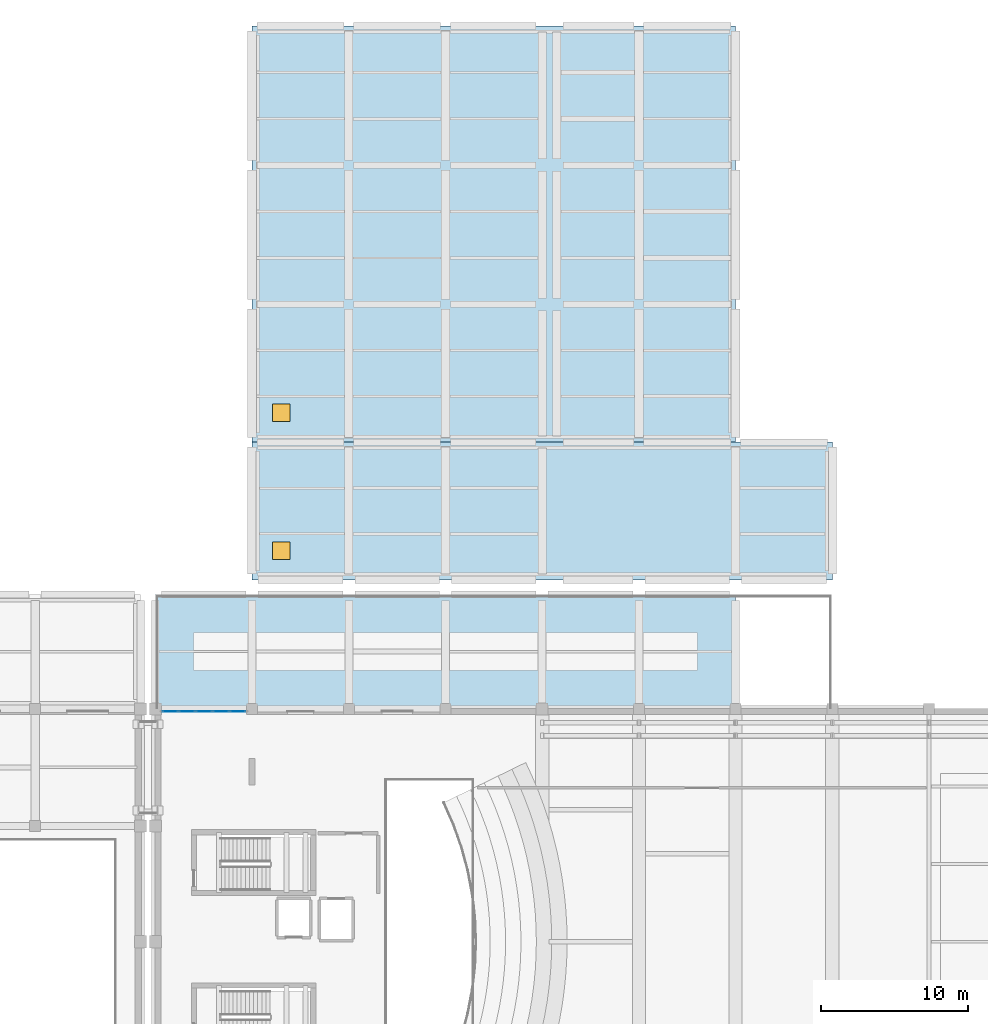
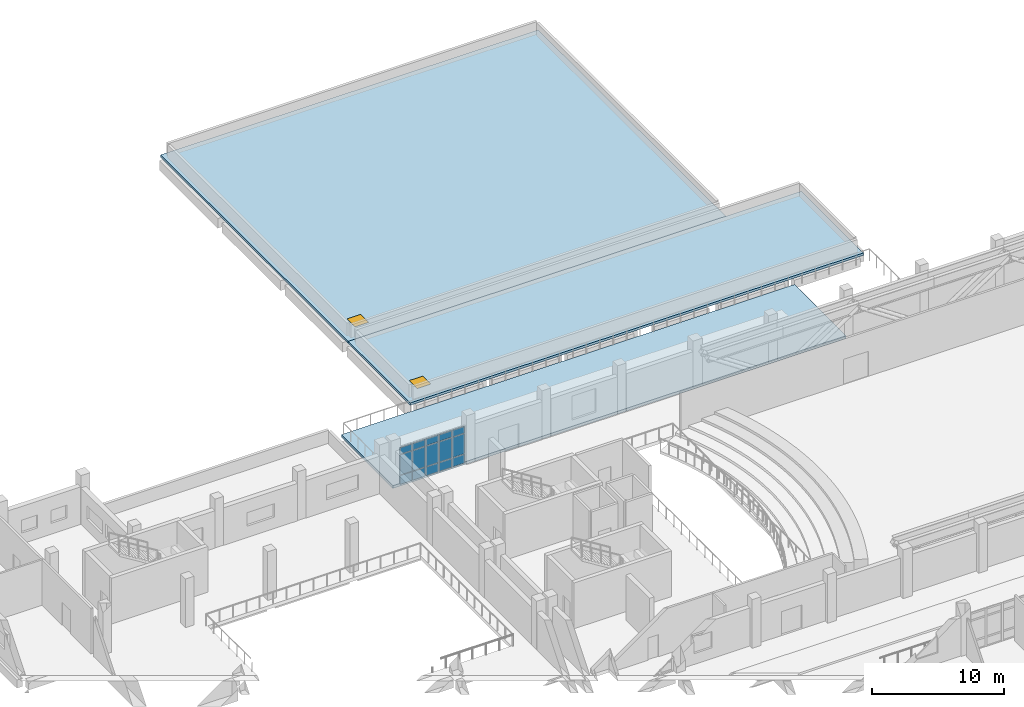
# One storey, part 33 of 54: 15 plates, 3 slabs, 2 windows, 2 openings, 1 element without a shape of its own.
"""IFC4 building model written with IfcOpenShell, lengths in metres."""

from ifc_helpers import new_model, si_unit, direction, frame, origin, origin_2d, place, context, subcontext, project, spatial, polyline, rectangle, outline, extrude, material, layer, layer_set, type_object, element, fill, aggregate, save


model = new_model("IFC4")

# Units and contexts
model_context = context("Model", 3, precision=1e-05, world=origin(), true_north=direction((0.0, 1.0)))
body_context = subcontext(model_context, "Body", "Model", "MODEL_VIEW")
ifc_project = project(units=[si_unit("LENGTHUNIT", "METRE"), si_unit("AREAUNIT", "SQUARE_METRE"), si_unit("VOLUMEUNIT", "CUBIC_METRE"), si_unit("PLANEANGLEUNIT", "RADIAN"), si_unit("MASSUNIT", "GRAM", prefix="KILO")], contexts=[model_context])

# Site, building, storey
site_placement = place(None, origin())
site = spatial("IfcSite", under=ifc_project, at=site_placement, CompositionType="ELEMENT")
building_placement = place(site_placement, origin())
building = spatial("IfcBuilding", under=site, at=building_placement, Name="Kelarvand Opera House", CompositionType="ELEMENT")
storey_placement = place(building_placement, frame((0.0, 0.0, 15.0)))
storey = spatial("IfcBuildingStorey", under=building, at=storey_placement, Name="L03", CompositionType="ELEMENT", Elevation=15.0)

# Curtain wall, plates
ifc_material_1 = material(Name="Thermally broken aluminium and low-E glazing", Category="aluminium")
ifc_layer_1 = layer(ifc_material_1, 0.219970703125, Name="Thermally broken aluminium and low-E glazing", Category="aluminium")
ifc_layer_set_1 = layer_set([ifc_layer_1], Name="Thermally broken aluminium and low-E glazing")
curtain_wall_type = type_object("IfcCurtainWallType", Name="Unitised Low-E Curtain Wall 5795x3520 Mod 1150 CWF-08", PredefinedType="USERDEFINED", material=ifc_layer_set_1)
curtain_wall_placement = place(storey_placement, origin())
curtain_wall = element("IfcCurtainWall", 1, at=curtain_wall_placement, inside=storey, type_object=curtain_wall_type, Name="V1 L03 Curtain Wall CWF-08 (23)", ObjectType="UNITISED CURTAIN WALL", PredefinedType="USERDEFINED")
ifc_material_2 = material(Name="Acoustic triple-laminated low-E glazing", Category="glass")
ifc_layer_2 = layer(ifc_material_2, 0.0400390625, Name="Acoustic triple-laminated low-E glazing", Category="glass")
ifc_layer_set_2 = layer_set([ifc_layer_2], Name="Acoustic triple-laminated low-E glazing")
plate_type = type_object("IfcPlateType", Name="Acoustic Laminated Plaza Curtain Panel 40mm", PredefinedType="CURTAIN_PANEL", material=ifc_layer_set_2)
plate_1_placement = place(storey_placement, frame((90.018310546875, 78.219970703125, 0.074951171875), z_axis=(0.0, 0.0, 1.0), x_axis=(1.0, 0.0, 0.0)))
plate_1 = element("IfcPlate", 2, at=plate_1_placement, type_object=plate_type, Name="CWF-08 panel 1.1", PredefinedType="CURTAIN_PANEL", context=body_context, shape_type="SweptSolid", body=[
    extrude(rectangle(XDim=1.04638671875, YDim=0.0400390625, at=origin_2d()), origin(), (0.0, 0.0, 1.0), 0.78759765625),
])
plate_2_placement = place(storey_placement, frame((90.018310546875, 78.219970703125, 0.9375), z_axis=(0.0, 0.0, 1.0), x_axis=(1.0, 0.0, 0.0)))
plate_2 = element("IfcPlate", 3, at=plate_2_placement, type_object=plate_type, Name="CWF-08 panel 1.2", PredefinedType="CURTAIN_PANEL", context=body_context, shape_type="SweptSolid", body=[
    extrude(rectangle(XDim=1.04638671875, YDim=0.0400390625, at=origin_2d()), origin(), (0.0, 0.0, 1.0), 1.844970703125),
])
plate_3_placement = place(storey_placement, frame((90.018310546875, 78.219970703125, 2.857666015625), z_axis=(0.0, 0.0, 1.0), x_axis=(1.0, 0.0, 0.0)))
plate_3 = element("IfcPlate", 4, at=plate_3_placement, type_object=plate_type, Name="CWF-08 panel 1.3", PredefinedType="CURTAIN_PANEL", context=body_context, shape_type="SweptSolid", body=[
    extrude(rectangle(XDim=1.04638671875, YDim=0.0400390625, at=origin_2d()), origin(), (0.0, 0.0, 1.0), 0.58740234375),
])
plate_4_placement = place(storey_placement, frame((91.158447265625, 78.219970703125, 0.074951171875), z_axis=(0.0, 0.0, 1.0), x_axis=(1.0, 0.0, 0.0)))
plate_4 = element("IfcPlate", 5, at=plate_4_placement, type_object=plate_type, Name="CWF-08 panel 2.1", PredefinedType="CURTAIN_PANEL", context=body_context, shape_type="SweptSolid", body=[
    extrude(rectangle(XDim=1.083984375, YDim=0.0400390625, at=origin_2d()), origin(), (0.0, 0.0, 1.0), 0.78759765625),
])
plate_5_placement = place(storey_placement, frame((91.158447265625, 78.219970703125, 0.9375), z_axis=(0.0, 0.0, 1.0), x_axis=(1.0, 0.0, 0.0)))
plate_5 = element("IfcPlate", 6, at=plate_5_placement, type_object=plate_type, Name="CWF-08 panel 2.2", PredefinedType="CURTAIN_PANEL", context=body_context, shape_type="SweptSolid", body=[
    extrude(rectangle(XDim=1.083984375, YDim=0.0400390625, at=origin_2d()), origin(), (0.0, 0.0, 1.0), 1.844970703125),
])
plate_6_placement = place(storey_placement, frame((91.158447265625, 78.219970703125, 2.857666015625), z_axis=(0.0, 0.0, 1.0), x_axis=(1.0, 0.0, 0.0)))
plate_6 = element("IfcPlate", 7, at=plate_6_placement, type_object=plate_type, Name="CWF-08 panel 2.3", PredefinedType="CURTAIN_PANEL", context=body_context, shape_type="SweptSolid", body=[
    extrude(rectangle(XDim=1.083984375, YDim=0.0400390625, at=origin_2d()), origin(), (0.0, 0.0, 1.0), 0.58740234375),
])
plate_7_placement = place(storey_placement, frame((92.3173828125, 78.219970703125, 0.074951171875), z_axis=(0.0, 0.0, 1.0), x_axis=(1.0, 0.0, 0.0)))
plate_7 = element("IfcPlate", 8, at=plate_7_placement, type_object=plate_type, Name="CWF-08 panel 3.1", PredefinedType="CURTAIN_PANEL", context=body_context, shape_type="SweptSolid", body=[
    extrude(rectangle(XDim=1.083984375, YDim=0.0400390625, at=origin_2d()), origin(), (0.0, 0.0, 1.0), 0.78759765625),
])
plate_8_placement = place(storey_placement, frame((92.3173828125, 78.219970703125, 0.9375), z_axis=(0.0, 0.0, 1.0), x_axis=(1.0, 0.0, 0.0)))
plate_8 = element("IfcPlate", 9, at=plate_8_placement, type_object=plate_type, Name="CWF-08 panel 3.2", PredefinedType="CURTAIN_PANEL", context=body_context, shape_type="SweptSolid", body=[
    extrude(rectangle(XDim=1.083984375, YDim=0.0400390625, at=origin_2d()), origin(), (0.0, 0.0, 1.0), 1.844970703125),
])
plate_9_placement = place(storey_placement, frame((92.3173828125, 78.219970703125, 2.857666015625), z_axis=(0.0, 0.0, 1.0), x_axis=(1.0, 0.0, 0.0)))
plate_9 = element("IfcPlate", 10, at=plate_9_placement, type_object=plate_type, Name="CWF-08 panel 3.3", PredefinedType="CURTAIN_PANEL", context=body_context, shape_type="SweptSolid", body=[
    extrude(rectangle(XDim=1.083984375, YDim=0.0400390625, at=origin_2d()), origin(), (0.0, 0.0, 1.0), 0.58740234375),
])
plate_10_placement = place(storey_placement, frame((93.4765625, 78.219970703125, 0.074951171875), z_axis=(0.0, 0.0, 1.0), x_axis=(1.0, 0.0, 0.0)))
plate_10 = element("IfcPlate", 11, at=plate_10_placement, type_object=plate_type, Name="CWF-08 panel 4.1", PredefinedType="CURTAIN_PANEL", context=body_context, shape_type="SweptSolid", body=[
    extrude(rectangle(XDim=1.083984375, YDim=0.0400390625, at=origin_2d()), origin(), (0.0, 0.0, 1.0), 0.78759765625),
])
plate_11_placement = place(storey_placement, frame((93.4765625, 78.219970703125, 0.9375), z_axis=(0.0, 0.0, 1.0), x_axis=(1.0, 0.0, 0.0)))
plate_11 = element("IfcPlate", 12, at=plate_11_placement, type_object=plate_type, Name="CWF-08 panel 4.2", PredefinedType="CURTAIN_PANEL", context=body_context, shape_type="SweptSolid", body=[
    extrude(rectangle(XDim=1.083984375, YDim=0.0400390625, at=origin_2d()), origin(), (0.0, 0.0, 1.0), 1.844970703125),
])
plate_12_placement = place(storey_placement, frame((93.4765625, 78.219970703125, 2.857666015625), z_axis=(0.0, 0.0, 1.0), x_axis=(1.0, 0.0, 0.0)))
plate_12 = element("IfcPlate", 13, at=plate_12_placement, type_object=plate_type, Name="CWF-08 panel 4.3", PredefinedType="CURTAIN_PANEL", context=body_context, shape_type="SweptSolid", body=[
    extrude(rectangle(XDim=1.083984375, YDim=0.0400390625, at=origin_2d()), origin(), (0.0, 0.0, 1.0), 0.58740234375),
])
plate_13_placement = place(storey_placement, frame((94.61669921875, 78.219970703125, 0.074951171875), z_axis=(0.0, 0.0, 1.0), x_axis=(1.0, 0.0, 0.0)))
plate_13 = element("IfcPlate", 14, at=plate_13_placement, type_object=plate_type, Name="CWF-08 panel 5.1", PredefinedType="CURTAIN_PANEL", context=body_context, shape_type="SweptSolid", body=[
    extrude(rectangle(XDim=1.04638671875, YDim=0.0400390625, at=origin_2d()), origin(), (0.0, 0.0, 1.0), 0.78759765625),
])
plate_14_placement = place(storey_placement, frame((94.61669921875, 78.219970703125, 0.9375), z_axis=(0.0, 0.0, 1.0), x_axis=(1.0, 0.0, 0.0)))
plate_14 = element("IfcPlate", 15, at=plate_14_placement, type_object=plate_type, Name="CWF-08 panel 5.2", PredefinedType="CURTAIN_PANEL", context=body_context, shape_type="SweptSolid", body=[
    extrude(rectangle(XDim=1.04638671875, YDim=0.0400390625, at=origin_2d()), origin(), (0.0, 0.0, 1.0), 1.844970703125),
])
plate_15_placement = place(storey_placement, frame((94.61669921875, 78.219970703125, 2.857666015625), z_axis=(0.0, 0.0, 1.0), x_axis=(1.0, 0.0, 0.0)))
plate_15 = element("IfcPlate", 16, at=plate_15_placement, type_object=plate_type, Name="CWF-08 panel 5.3", PredefinedType="CURTAIN_PANEL", context=body_context, shape_type="SweptSolid", body=[
    extrude(rectangle(XDim=1.04638671875, YDim=0.0400390625, at=origin_2d()), origin(), (0.0, 0.0, 1.0), 0.58740234375),
])
aggregate(curtain_wall, [plate_1, plate_2, plate_3, plate_4, plate_5, plate_6, plate_7, plate_8, plate_9, plate_10, plate_11, plate_12, plate_13, plate_14, plate_15])

# Slab, opening, window
ifc_material_3 = material(Name="Concrete C35/45", Category="concrete")
ifc_layer_3 = layer(ifc_material_3, 0.219970703125, Name="Concrete C35/45", Category="concrete")
ifc_layer_set_3 = layer_set([ifc_layer_3], Name="Concrete C35/45")
slab_type_1 = type_object("IfcSlabType", Name="Flat Structural Roof Slab 220", PredefinedType="ROOF", material=ifc_layer_set_3)
slab_1_placement = place(storey_placement, frame((0.0, 0.0, -0.219970703125)))
slab_1 = element("IfcSlab", 17, at=slab_1_placement, inside=storey, type_object=slab_type_1, Name="V5 Flat Roof Slab L03 1", PredefinedType="ROOF", context=body_context, shape_type="SweptSolid", body=[
    extrude(outline(polyline([(95.60009765625, 87.199951171875), (135.199951171875, 87.199951171875), (135.199951171875, 96.60009765625), (95.60009765625, 96.60009765625), (95.60009765625, 87.199951171875)])), origin(), (0.0, 0.0, 1.0), 0.219970703125),
])
opening_1_placement = place(slab_1_placement, frame((97.60009765625, 89.199951171875, 0.0)))
opening_1 = element("IfcOpeningElement", 18, at=opening_1_placement, cuts=slab_1, Name="Opening RH-01", PredefinedType="OPENING", context=body_context, shape_type="SweptSolid", body=[
    extrude(rectangle(XDim=1.199951171875, YDim=1.199951171875, at=origin_2d()), frame((0.0, 0.0, -0.010009765625)), (0.0, 0.0, 1.0), 0.239990234375),
])
ifc_material_4 = material(Name="Insulated aluminium roof access hatch", Category="aluminium")
window_type = type_object("IfcWindowType", Name="Insulated Flat-Roof Maintenance Access Hatch 1200x1200", PartitioningType="SINGLE_PANEL", PredefinedType="SKYLIGHT", material=ifc_material_4)
window_1_placement = place(opening_1_placement, frame((0.0, 0.0, 0.169921875)))
window_1 = element("IfcWindow", 19, at=window_1_placement, inside=storey, type_object=window_type, Name="V5 Maintenance Roof Hatch 12", OverallHeight=1.199951171875, OverallWidth=1.199951171875, PartitioningType="SINGLE_PANEL", PredefinedType="SKYLIGHT", context=body_context, shape_type="SweptSolid", body=[
    extrude(rectangle(XDim=1.199951171875, YDim=1.199951171875, at=origin_2d()), origin(), (0.0, 0.0, 1.0), 0.050048828125),
])
fill(opening_1, window_1)

slab_2_placement = place(storey_placement, frame((0.0, 0.0, -0.219970703125)))
slab_2 = element("IfcSlab", 20, at=slab_2_placement, inside=storey, type_object=slab_type_1, Name="V5 Flat Roof Slab L03 2", PredefinedType="ROOF", context=body_context, shape_type="SweptSolid", body=[
    extrude(outline(polyline([(95.60009765625, 96.60009765625), (128.60009765625, 96.60009765625), (128.60009765625, 125.0), (95.60009765625, 125.0), (95.60009765625, 96.60009765625)])), origin(), (0.0, 0.0, 1.0), 0.219970703125),
])
opening_2_placement = place(slab_2_placement, frame((97.60009765625, 98.60009765625, 0.0)))
opening_2 = element("IfcOpeningElement", 21, at=opening_2_placement, cuts=slab_2, Name="Opening RH-01", PredefinedType="OPENING", context=body_context, shape_type="SweptSolid", body=[
    extrude(rectangle(XDim=1.199951171875, YDim=1.199951171875, at=origin_2d()), frame((0.0, 0.0, -0.010009765625)), (0.0, 0.0, 1.0), 0.239990234375),
])
window_2_placement = place(opening_2_placement, frame((0.0, 0.0, 0.169921875)))
window_2 = element("IfcWindow", 22, at=window_2_placement, inside=storey, type_object=window_type, Name="V5 Maintenance Roof Hatch 13", OverallHeight=1.199951171875, OverallWidth=1.199951171875, PartitioningType="SINGLE_PANEL", PredefinedType="SKYLIGHT", context=body_context, shape_type="SweptSolid", body=[
    extrude(rectangle(XDim=1.199951171875, YDim=1.199951171875, at=origin_2d()), origin(), (0.0, 0.0, 1.0), 0.050048828125),
])
fill(opening_2, window_2)

# Slab
ifc_layer_4 = layer(ifc_material_3, 0.25, Name="Concrete C35/45", Category="concrete")
ifc_layer_set_4 = layer_set([ifc_layer_4], Name="Concrete C35/45")
slab_type_2 = type_object("IfcSlabType", Name="Planted Roof Garden Terrace Slab 250", PredefinedType="FLOOR", material=ifc_layer_set_4)
slab_3_placement = place(storey_placement, frame((0.0, 0.0, -0.25)))
element("IfcSlab", 23, at=slab_3_placement, inside=storey, type_object=slab_type_2, Name="V1 L03 Planted Roof Terrace 2", PredefinedType="FLOOR", context=body_context, shape_type="SweptSolid", body=[
    extrude(outline(polyline([(89.0, 78.39990234375), (128.60009765625, 78.39990234375), (128.60009765625, 86.199951171875), (89.0, 86.199951171875), (89.0, 78.39990234375)])), origin(), (0.0, 0.0, 1.0), 0.25),
])

save(model, "model.ifc")
